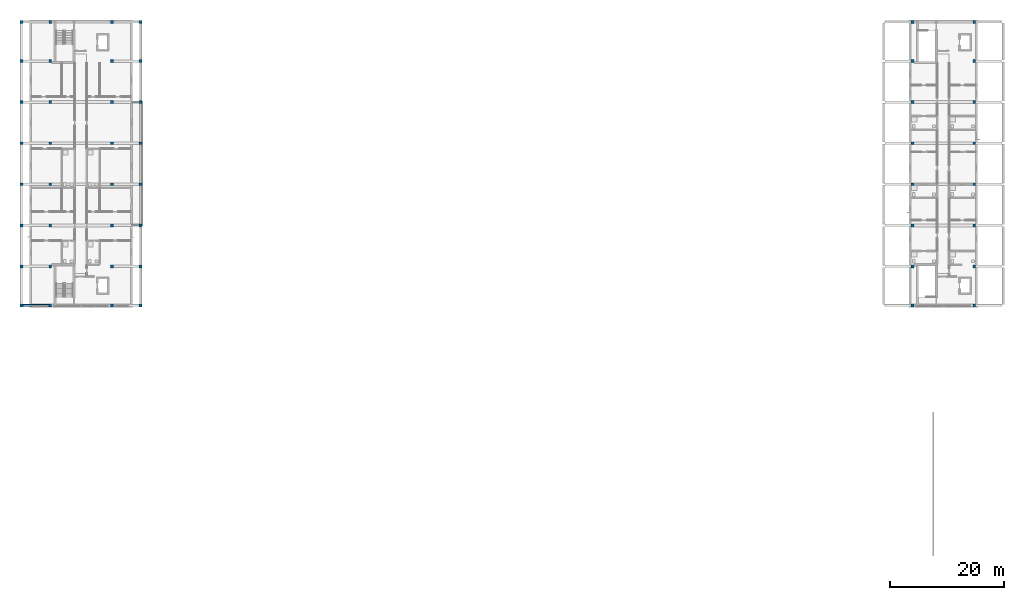
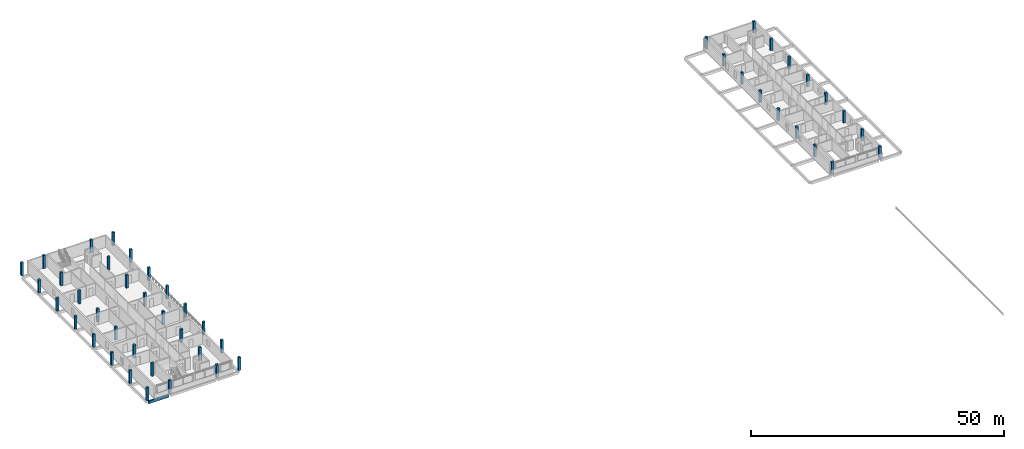
# One storey, part 1 of 16: 48 columns, 1 beam.
"""IFC4 building model written with IfcOpenShell, lengths in metres."""

from ifc_helpers import new_model, si_unit, derived_unit, direction, frame, origin, origin_2d, place, context, subcontext, project, spatial, rectangle, extrude, material, material_profile, profile_set, type_object, element, save


model = new_model("IFC4")

# Units and contexts
model_context = context("Model", 3, precision=1e-05, world=origin(), true_north=direction((0.0, 1.0)))
body_context = subcontext(model_context, "Body", "Model", "MODEL_VIEW")
ifc_project = project(units=[si_unit("LENGTHUNIT", "METRE"), si_unit("AREAUNIT", "SQUARE_METRE"), si_unit("VOLUMEUNIT", "CUBIC_METRE"), si_unit("PLANEANGLEUNIT", "RADIAN"), si_unit("MASSUNIT", "GRAM", prefix="KILO"), derived_unit("THERMALTRANSMITTANCEUNIT", [(si_unit("MASSUNIT", "GRAM", prefix="KILO"), 1), (si_unit("TIMEUNIT", "SECOND"), -3), (si_unit("THERMODYNAMICTEMPERATUREUNIT", "KELVIN"), -1)])], contexts=[model_context])

# Site, building, storey
site_placement = place(None, origin())
site = spatial("IfcSite", under=ifc_project, at=site_placement, CompositionType="ELEMENT")
building_placement = place(site_placement, origin())
building = spatial("IfcBuilding", under=site, at=building_placement, Name="Ochrekiln Boulevard Commons", CompositionType="ELEMENT")
storey_placement = place(building_placement, frame((0.0, 0.0, 40.425048828125)))
storey = spatial("IfcBuildingStorey", under=building, at=storey_placement, Name="L12", CompositionType="ELEMENT", Elevation=40.425048828125)

# Columns
ifc_material_1 = material(Name="Concrete C35/45", Category="concrete")
ifc_material_profile_1 = material_profile(ifc_material_1, rectangle(XDim=0.5, YDim=0.5, at=origin_2d()), Name="RC-COL-500x500")
ifc_profile_set_1 = profile_set([ifc_material_profile_1], Name="Concrete C35/45")
column_type = type_object("IfcColumnType", Name="COL-RC-500", PredefinedType="COLUMN", material=ifc_profile_set_1)
for number, where, z_axis, x_axis, name in (
    (1, (0.35009765625, 68.75, 0.0), (0.0, 0.0, 1.0), (1.0, 0.0, 0.0), "Block A L12 Column C-500 (1)"),
    (2, (0.35009765625, 75.60009765625, 0.0), (0.0, 0.0, 1.0), (1.0, 0.0, 0.0), "Block A L12 Column C-500 (2)"),
    (3, (0.35009765625, 82.800048828125, 0.0), (0.0, 0.0, 1.0), (1.0, 0.0, 0.0), "Block A L12 Column C-500 (3)"),
    (4, (0.35009765625, 90.0, 0.0), (0.0, 0.0, 1.0), (1.0, 0.0, 0.0), "Block A L12 Column C-500 (4)"),
    (5, (0.35009765625, 97.199951171875, 0.0), (0.0, 0.0, 1.0), (1.0, 0.0, 0.0), "Block A L12 Column C-500 (5)"),
    (6, (0.35009765625, 104.39990234375, 0.0), (0.0, 0.0, 1.0), (1.0, 0.0, 0.0), "Block A L12 Column C-500 (6)"),
    (7, (0.35009765625, 111.60009765625, 0.0), (0.0, 0.0, 1.0), (1.0, 0.0, 0.0), "Block A L12 Column C-500 (7)"),
    (8, (0.35009765625, 118.449951171875, 0.0), (0.0, 0.0, 1.0), (1.0, 0.0, 0.0), "Block A L12 Column C-500 (8)"),
    (9, (5.39990234375, 68.75, 0.0), (0.0, 0.0, 1.0), (1.0, 0.0, 0.0), "Block A L12 Column C-500 (9)"),
    (10, (5.39990234375, 75.60009765625, 0.0), (0.0, 0.0, 1.0), (1.0, 0.0, 0.0), "Block A L12 Column C-500 (10)"),
    (11, (5.39990234375, 82.800048828125, 0.0), (0.0, 0.0, 1.0), (1.0, 0.0, 0.0), "Block A L12 Column C-500 (11)"),
    (12, (5.39990234375, 90.0, 0.0), (0.0, 0.0, 1.0), (1.0, 0.0, 0.0), "Block A L12 Column C-500 (12)"),
    (13, (5.39990234375, 97.199951171875, 0.0), (0.0, 0.0, 1.0), (1.0, 0.0, 0.0), "Block A L12 Column C-500 (13)"),
    (14, (5.39990234375, 104.39990234375, 0.0), (0.0, 0.0, 1.0), (1.0, 0.0, 0.0), "Block A L12 Column C-500 (14)"),
    (15, (5.39990234375, 111.60009765625, 0.0), (0.0, 0.0, 1.0), (1.0, 0.0, 0.0), "Block A L12 Column C-500 (15)"),
    (16, (5.39990234375, 118.449951171875, 0.0), (0.0, 0.0, 1.0), (1.0, 0.0, 0.0), "Block A L12 Column C-500 (16)"),
    (17, (16.199951171875, 68.75, 0.0), (0.0, 0.0, 1.0), (1.0, 0.0, 0.0), "Block A L12 Column C-500 (17)"),
    (18, (16.199951171875, 75.60009765625, 0.0), (0.0, 0.0, 1.0), (1.0, 0.0, 0.0), "Block A L12 Column C-500 (18)"),
    (19, (16.199951171875, 82.800048828125, 0.0), (0.0, 0.0, 1.0), (1.0, 0.0, 0.0), "Block A L12 Column C-500 (19)"),
    (20, (16.199951171875, 90.0, 0.0), (0.0, 0.0, 1.0), (1.0, 0.0, 0.0), "Block A L12 Column C-500 (20)"),
    (21, (16.199951171875, 97.199951171875, 0.0), (0.0, 0.0, 1.0), (1.0, 0.0, 0.0), "Block A L12 Column C-500 (21)"),
    (22, (16.199951171875, 104.39990234375, 0.0), (0.0, 0.0, 1.0), (1.0, 0.0, 0.0), "Block A L12 Column C-500 (22)"),
    (23, (16.199951171875, 111.60009765625, 0.0), (0.0, 0.0, 1.0), (1.0, 0.0, 0.0), "Block A L12 Column C-500 (23)"),
    (24, (16.199951171875, 118.449951171875, 0.0), (0.0, 0.0, 1.0), (1.0, 0.0, 0.0), "Block A L12 Column C-500 (24)"),
    (25, (21.25, 68.75, 0.0), (0.0, 0.0, 1.0), (1.0, 0.0, 0.0), "Block A L12 Column C-500 (25)"),
    (26, (21.25, 75.60009765625, 0.0), (0.0, 0.0, 1.0), (1.0, 0.0, 0.0), "Block A L12 Column C-500 (26)"),
    (27, (21.25, 82.800048828125, 0.0), (0.0, 0.0, 1.0), (1.0, 0.0, 0.0), "Block A L12 Column C-500 (27)"),
    (28, (21.25, 90.0, 0.0), (0.0, 0.0, 1.0), (1.0, 0.0, 0.0), "Block A L12 Column C-500 (28)"),
    (29, (21.25, 97.199951171875, 0.0), (0.0, 0.0, 1.0), (1.0, 0.0, 0.0), "Block A L12 Column C-500 (29)"),
    (30, (21.25, 104.39990234375, 0.0), (0.0, 0.0, 1.0), (1.0, 0.0, 0.0), "Block A L12 Column C-500 (30)"),
    (31, (21.25, 111.60009765625, 0.0), (0.0, 0.0, 1.0), (1.0, 0.0, 0.0), "Block A L12 Column C-500 (31)"),
    (32, (21.25, 118.449951171875, 0.0), (0.0, 0.0, 1.0), (1.0, 0.0, 0.0), "Block A L12 Column C-500 (32)"),
):
    element("IfcColumn", number, at=place(storey_placement, frame(where, z_axis=z_axis, x_axis=x_axis)), inside=storey, type_object=column_type, Name=name, PredefinedType="COLUMN", context=body_context, shape_type="SweptSolid", body=[
        extrude(rectangle(XDim=0.5, YDim=0.5, at=origin_2d()), origin(), (0.0, 0.0, 1.0), 3.14990234375),
    ])
for number, where, z_axis, x_axis, name in (
    (33, (156.60009765625, 68.75, 0.0), (0.0, 0.0, 1.0), (1.0, 0.0, 0.0), "Block B L12 Column C-500 (9)"),
    (34, (156.60009765625, 75.60009765625, 0.0), (0.0, 0.0, 1.0), (1.0, 0.0, 0.0), "Block B L12 Column C-500 (10)"),
    (35, (156.60009765625, 82.800048828125, 0.0), (0.0, 0.0, 1.0), (1.0, 0.0, 0.0), "Block B L12 Column C-500 (11)"),
    (36, (156.60009765625, 90.0, 0.0), (0.0, 0.0, 1.0), (1.0, 0.0, 0.0), "Block B L12 Column C-500 (12)"),
    (37, (156.60009765625, 97.199951171875, 0.0), (0.0, 0.0, 1.0), (1.0, 0.0, 0.0), "Block B L12 Column C-500 (13)"),
    (38, (156.60009765625, 104.39990234375, 0.0), (0.0, 0.0, 1.0), (1.0, 0.0, 0.0), "Block B L12 Column C-500 (14)"),
    (39, (156.60009765625, 111.60009765625, 0.0), (0.0, 0.0, 1.0), (1.0, 0.0, 0.0), "Block B L12 Column C-500 (15)"),
    (40, (156.60009765625, 118.449951171875, 0.0), (0.0, 0.0, 1.0), (1.0, 0.0, 0.0), "Block B L12 Column C-500 (16)"),
    (41, (167.39990234375, 68.75, 0.0), (0.0, 0.0, 1.0), (1.0, 0.0, 0.0), "Block B L12 Column C-500 (17)"),
    (42, (167.39990234375, 75.60009765625, 0.0), (0.0, 0.0, 1.0), (1.0, 0.0, 0.0), "Block B L12 Column C-500 (18)"),
    (43, (167.39990234375, 82.800048828125, 0.0), (0.0, 0.0, 1.0), (1.0, 0.0, 0.0), "Block B L12 Column C-500 (19)"),
    (44, (167.39990234375, 90.0, 0.0), (0.0, 0.0, 1.0), (1.0, 0.0, 0.0), "Block B L12 Column C-500 (20)"),
    (45, (167.39990234375, 97.199951171875, 0.0), (0.0, 0.0, 1.0), (1.0, 0.0, 0.0), "Block B L12 Column C-500 (21)"),
    (46, (167.39990234375, 104.39990234375, 0.0), (0.0, 0.0, 1.0), (1.0, 0.0, 0.0), "Block B L12 Column C-500 (22)"),
    (47, (167.39990234375, 111.60009765625, 0.0), (0.0, 0.0, 1.0), (1.0, 0.0, 0.0), "Block B L12 Column C-500 (23)"),
    (48, (167.39990234375, 118.449951171875, 0.0), (0.0, 0.0, 1.0), (1.0, 0.0, 0.0), "Block B L12 Column C-500 (24)"),
):
    element("IfcColumn", number, at=place(storey_placement, frame(where, z_axis=z_axis, x_axis=x_axis)), inside=storey, type_object=column_type, Name=name, PredefinedType="COLUMN", context=body_context, shape_type="SweptSolid", body=[
        extrude(rectangle(XDim=0.5, YDim=0.5, at=origin_2d()), origin(), (0.0, 0.0, 1.0), 2.849853515625),
    ])

# Beam
ifc_material_2 = material(Name="Concrete C40/50", Category="concrete")
ifc_material_profile_2 = material_profile(ifc_material_2, rectangle(XDim=0.35009765625, YDim=0.64990234375, at=origin_2d()), Name="RC-SPN-350x650")
ifc_profile_set_2 = profile_set([ifc_material_profile_2], Name="Concrete C40/50")
beam_type = type_object("IfcBeamType", Name="SPN-RC-350x650", PredefinedType="SPANDREL", material=ifc_profile_set_2)
beam_placement = place(storey_placement, frame((0.56005859375, 68.75, -0.574951171875), z_axis=(1.0, 0.0, 0.0), x_axis=(0.0, 1.0, 0.0)))
element("IfcBeam", 49, at=beam_placement, inside=storey, type_object=beam_type, Name="Block A L12 Beam SP-3565 X1", PredefinedType="SPANDREL", context=body_context, shape_type="SweptSolid", body=[
    extrude(rectangle(XDim=0.35009765625, YDim=0.64990234375, at=origin_2d()), origin(), (0.0, 0.0, 1.0), 4.6298828125),
])

save(model, "model.ifc")
